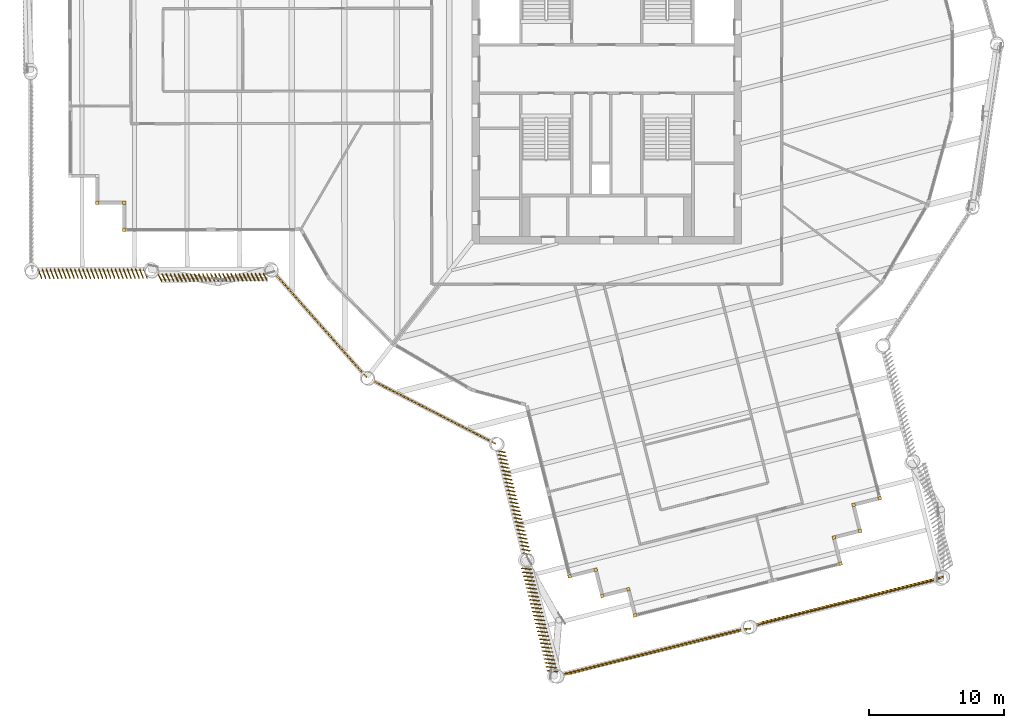
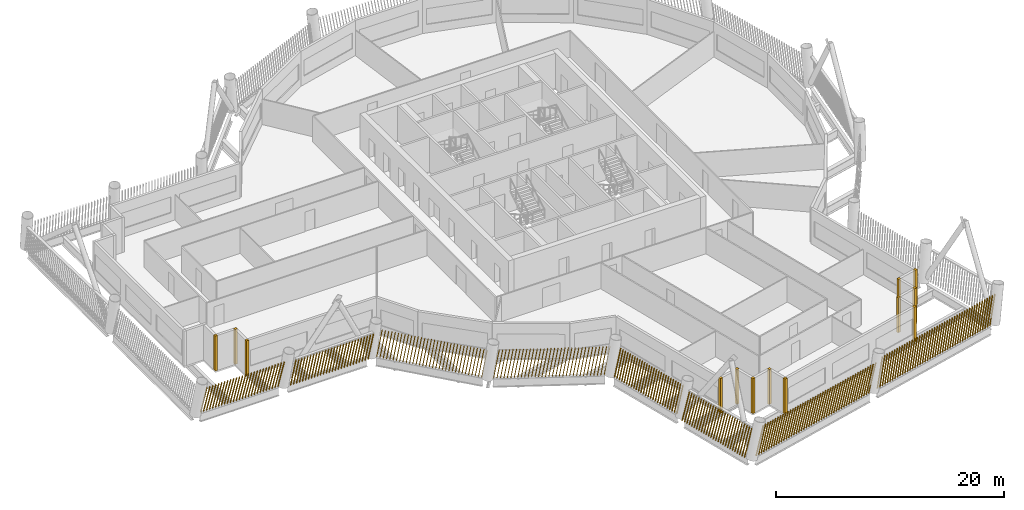
# One storey, part 18 of 22: 21 shading devices.
"""IFC4 building model written with IfcOpenShell, lengths in metres."""

import ifcopenshell
import ifcopenshell.guid

model = None  # the IFC model being written
_history = None  # IfcOwnerHistory: only IFC2X3 demands one
_inside = {}  # id of a spatial element -> (the spatial element, [elements in it])
_under = {}  # id of a project, library or spatial element -> (it, [spatial elements below it])
_declared = {}  # id of a project -> (the project, [libraries it declares])
_typed = {}  # id of a type object -> (the type object, [elements of that type])
_made_of = {}  # id of a material, layer set ... -> (it, [elements and type objects made of it])


def new_model(schema):
    """Start an empty IFC model of exactly this schema.

    Asked for "IFC4X3", IfcOpenShell would pick the latest addendum, in which some entities
    have other attributes; the version numbers below select the first issue.
    IFC2X3 requires an IfcOwnerHistory on every rooted entity: one is made here for all.
    """
    global model, _history
    if schema == "IFC4X3":
        model = ifcopenshell.file(schema_version=(4, 3, 0, 0))
    else:
        model = ifcopenshell.file(schema=schema)
    _inside.clear()
    _under.clear()
    _declared.clear()
    _typed.clear()
    _made_of.clear()
    _history = None
    if model.schema == "IFC2X3":
        org = make("IfcOrganization", Name="unknown")
        user = make(
            "IfcPersonAndOrganization",
            ThePerson=make("IfcPerson", FamilyName="unknown"),
            TheOrganization=org,
        )
        app = make(
            "IfcApplication",
            ApplicationDeveloper=org,
            Version="unknown",
            ApplicationFullName="unknown",
            ApplicationIdentifier="unknown",
        )
        _history = make(
            "IfcOwnerHistory",
            OwningUser=user,
            OwningApplication=app,
            ChangeAction="ADDED",
            CreationDate=0,
        )
    return model


def make(cls, **values):
    """One entity of the class cls with the attributes given. An attribute that is None is left unset."""
    return model.create_entity(
        cls, **{name: value for name, value in values.items() if value is not None}
    )


def rooted(cls, **values):
    """An entity with a GlobalId (a new one), such as an element, a storey or a relation."""
    return make(cls, GlobalId=ifcopenshell.guid.new(), OwnerHistory=_history, **values)


def si_unit(unit_type, name, prefix=None):
    """IfcSIUnit, for example si_unit("LENGTHUNIT", "METRE", prefix="MILLI")."""
    return make("IfcSIUnit", UnitType=unit_type, Prefix=prefix, Name=name)


def assignment(units):
    """IfcUnitAssignment: the units of a project."""
    return None if units is None else make("IfcUnitAssignment", Units=units)


def point(xyz):
    """IfcCartesianPoint."""
    return None if xyz is None else make("IfcCartesianPoint", Coordinates=xyz)


def direction(xyz):
    """IfcDirection."""
    return None if xyz is None else make("IfcDirection", DirectionRatios=xyz)


def frame(location, z_axis=None, x_axis=None):
    """IfcAxis2Placement3D, a coordinate frame: its origin and axes. An axis left out is left unset."""
    return make(
        "IfcAxis2Placement3D",
        Location=point(location),
        Axis=direction(z_axis),
        RefDirection=direction(x_axis),
    )


def frame_2d(location, x_axis=None):
    """IfcAxis2Placement2D, a coordinate frame in the plane: its origin and x axis."""
    return make(
        "IfcAxis2Placement2D", Location=point(location), RefDirection=direction(x_axis)
    )


def origin():
    """The frame at (0, 0, 0) with its axes left unset."""
    return frame((0.0, 0.0, 0.0))


def origin_2d():
    """The frame at (0, 0) in the plane with its x axis left unset."""
    return frame_2d((0.0, 0.0))


def place(relative_to, where):
    """IfcLocalPlacement: puts the frame where relative to a parent placement (None: the world)."""
    return make(
        "IfcLocalPlacement", PlacementRelTo=relative_to, RelativePlacement=where
    )


def context(
    kind, dimensions, precision=None, world=None, true_north=None, identifier=None
):
    """IfcGeometricRepresentationContext, for example the 3D "Model" context."""
    return make(
        "IfcGeometricRepresentationContext",
        ContextIdentifier=identifier,
        ContextType=kind,
        CoordinateSpaceDimension=dimensions,
        Precision=precision,
        WorldCoordinateSystem=world,
        TrueNorth=true_north,
    )


def subcontext(parent, identifier, kind, view, scale=None):
    """IfcGeometricRepresentationSubContext, for example "Body" below "Model"."""
    return make(
        "IfcGeometricRepresentationSubContext",
        ContextIdentifier=identifier,
        ContextType=kind,
        ParentContext=parent,
        TargetScale=scale,
        TargetView=view,
    )


def project(units=None, contexts=None):
    """IfcProject with its units and contexts."""
    return rooted(
        "IfcProject",
        Name="project",
        RepresentationContexts=contexts,
        UnitsInContext=assignment(units),
    )


def spatial(cls, under=None, at=None, **own):
    """A site, building, storey or space (cls), placed at a placement, below another one or the project."""
    s = rooted(cls, ObjectPlacement=at, **own)
    if under is not None:
        _under.setdefault(under.id(), (under, []))[1].append(s)
    return s


def profile(cls, at=None, kind="AREA", **sizes):
    """A parametric profile (cls). Its sizes go by their IFC names, for example OverallWidth=200.0."""
    return make(cls, ProfileType=kind, Position=at, **sizes)


def rectangle(**sizes):
    """IfcRectangleProfileDef."""
    return profile("IfcRectangleProfileDef", **sizes)


def composite_profile(profiles, kind="AREA"):
    """IfcCompositeProfileDef: several profiles as one."""
    return make("IfcCompositeProfileDef", ProfileType=kind, Profiles=profiles)


def extrude(swept, where, along, depth):
    """IfcExtrudedAreaSolid: the profile swept, set in the frame where, extruded along a direction by depth."""
    return make(
        "IfcExtrudedAreaSolid",
        SweptArea=swept,
        Position=where,
        ExtrudedDirection=direction(along),
        Depth=depth,
    )


def shape(context_of_items, identifier, shape_type, items):
    """IfcShapeRepresentation: the items that make up one representation, for example the "Body"."""
    return make(
        "IfcShapeRepresentation",
        ContextOfItems=context_of_items,
        RepresentationIdentifier=identifier,
        RepresentationType=shape_type,
        Items=items,
    )


def material(Name=None, Category=None):
    """IfcMaterial."""
    return make("IfcMaterial", Name=Name, Category=Category)


def made_of(thing, what):
    """Note that an element or type object is made of a material, layer set ...; save() writes the relation."""
    if what is not None:
        _made_of.setdefault(what.id(), (what, []))[1].append(thing)
    return thing


def type_object(cls, material=None, **own):
    """A type object (cls), such as IfcWallType, which elements share."""
    return made_of(rooted(cls, **own), material)


def element(
    cls,
    number,
    at=None,
    inside=None,
    cuts=None,
    type_object=None,
    material=None,
    context=None,
    identifier="Body",
    shape_type=None,
    held_by="IfcProductDefinitionShape",
    body=None,
    shapes=None,
    **own,
):
    """One element of the class cls, such as IfcWall. Its Tag is "e" and its number.

    at: its placement. inside: the storey or other place that contains it. cuts: it is an
    opening in that element (IfcRelVoidsElement). A single representation is given by context,
    identifier, shape_type and body (its items); several are given by shapes. held_by: the class
    of the entity that holds the representations. save() writes the other relations.
    """
    e = rooted(cls, Tag="e%d" % number, ObjectPlacement=at, **own)
    if body is not None:
        shapes = [shape(context, identifier, shape_type, body)]
    if shapes is not None:
        e.Representation = make(held_by, Representations=shapes)
    if inside is not None:
        _inside.setdefault(inside.id(), (inside, []))[1].append(e)
    if cuts is not None:
        rooted(
            "IfcRelVoidsElement", RelatingBuildingElement=cuts, RelatedOpeningElement=e
        )
    if type_object is not None:
        _typed.setdefault(type_object.id(), (type_object, []))[1].append(e)
    return made_of(e, material)


def aggregate(whole, parts):
    """IfcRelAggregates: a whole, such as a stair, and the parts it consists of."""
    return rooted("IfcRelAggregates", RelatingObject=whole, RelatedObjects=parts)


def save(model, path):
    """Write the relations noted so far, then the file.

    IfcRelAggregates (storeys below a building ...), IfcRelContainedInSpatialStructure (elements
    in a storey), IfcRelDefinesByType, IfcRelAssociatesMaterial and IfcRelDeclares: one each for
    every whole, place, type object, material and project.
    """
    for whole, parts in _under.values():
        aggregate(whole, parts)
    for where, things in _inside.values():
        rooted(
            "IfcRelContainedInSpatialStructure",
            RelatedElements=things,
            RelatingStructure=where,
        )
    for kind, things in _typed.values():
        rooted("IfcRelDefinesByType", RelatedObjects=things, RelatingType=kind)
    for what, things in _made_of.values():
        rooted("IfcRelAssociatesMaterial", RelatedObjects=things, RelatingMaterial=what)
    for by, libraries in _declared.values():
        rooted("IfcRelDeclares", RelatingContext=by, RelatedDefinitions=libraries)
    model.write(path)


model = new_model("IFC4")

# Units and contexts
model_context = context("Model", 3, precision=1e-05, world=origin(), true_north=direction((0.0, 1.0)))
body_context = subcontext(model_context, "Body", "Model", "MODEL_VIEW")
ifc_project = project(units=[si_unit("LENGTHUNIT", "METRE"), si_unit("AREAUNIT", "SQUARE_METRE"), si_unit("VOLUMEUNIT", "CUBIC_METRE"), si_unit("PLANEANGLEUNIT", "RADIAN"), si_unit("MASSUNIT", "GRAM", prefix="KILO")], contexts=[model_context])

# Site, building, storey
site_placement = place(None, origin())
site = spatial("IfcSite", under=ifc_project, at=site_placement, CompositionType="ELEMENT")
building_placement = place(site_placement, origin())
building = spatial("IfcBuilding", under=site, at=building_placement, Name="Tarsis Ring Headquarters", CompositionType="ELEMENT")
storey_placement = place(building_placement, frame((0.0, 0.0, 286.39990234375)))
storey = spatial("IfcBuildingStorey", under=building, at=storey_placement, Name="L67", CompositionType="ELEMENT", Elevation=286.39990234375)

# Shading devices
ifc_material = material(Name="Terracotta baguette", Category="masonry")
shading_device_type_1 = type_object("IfcShadingDeviceType", Name="Terracotta baguette screen", PredefinedType="USERDEFINED", material=ifc_material)
shading_device_1_placement = place(storey_placement, frame((-17.391357421875, -23.156494140625, 0.0), z_axis=(0.0, 0.0, 1.0), x_axis=(0.889469081824, -0.457014366021, 0.0)))
element("IfcShadingDevice", 1, at=shading_device_1_placement, inside=storey, type_object=shading_device_type_1, Name="Baguette screen L67-00", ObjectType="Terracotta baguette screen", PredefinedType="USERDEFINED", context=body_context, shape_type="SweptSolid", body=[
    extrude(composite_profile([rectangle(XDim=0.06005859375, YDim=0.1201171875, at=frame_2d((0.030029296875, 0.0))), rectangle(XDim=0.06005859375, YDim=0.1201171875, at=frame_2d((0.33349609375, 0.0))), rectangle(XDim=0.06005859375, YDim=0.1201171875, at=frame_2d((0.636962890625, 0.0))), rectangle(XDim=0.06005859375, YDim=0.1201171875, at=frame_2d((0.9404296875, 0.0))), rectangle(XDim=0.06005859375, YDim=0.1201171875, at=frame_2d((1.243896484375, 0.0))), rectangle(XDim=0.06005859375, YDim=0.1201171875, at=frame_2d((1.54736328125, 0.0))), rectangle(XDim=0.06005859375, YDim=0.1201171875, at=frame_2d((1.85107421875, 0.0))), rectangle(XDim=0.06005859375, YDim=0.1201171875, at=frame_2d((2.154541015625, 0.0))), rectangle(XDim=0.06005859375, YDim=0.1201171875, at=frame_2d((2.4580078125, 0.0))), rectangle(XDim=0.06005859375, YDim=0.1201171875, at=frame_2d((2.761474609375, 0.0))), rectangle(XDim=0.06005859375, YDim=0.1201171875, at=frame_2d((3.06494140625, 0.0))), rectangle(XDim=0.06005859375, YDim=0.1201171875, at=frame_2d((3.368408203125, 0.0))), rectangle(XDim=0.06005859375, YDim=0.1201171875, at=frame_2d((3.671875, 0.0))), rectangle(XDim=0.06005859375, YDim=0.1201171875, at=frame_2d((3.975341796875, 0.0))), rectangle(XDim=0.06005859375, YDim=0.1201171875, at=frame_2d((4.27880859375, 0.0))), rectangle(XDim=0.06005859375, YDim=0.1201171875, at=frame_2d((4.582275390625, 0.0))), rectangle(XDim=0.06005859375, YDim=0.1201171875, at=frame_2d((4.8857421875, 0.0))), rectangle(XDim=0.06005859375, YDim=0.1201171875, at=frame_2d((5.189453125, 0.0))), rectangle(XDim=0.06005859375, YDim=0.1201171875, at=frame_2d((5.492919921875, 0.0))), rectangle(XDim=0.06005859375, YDim=0.1201171875, at=frame_2d((5.79638671875, 0.0))), rectangle(XDim=0.06005859375, YDim=0.1201171875, at=frame_2d((6.099853515625, 0.0))), rectangle(XDim=0.06005859375, YDim=0.1201171875, at=frame_2d((6.4033203125, 0.0))), rectangle(XDim=0.06005859375, YDim=0.1201171875, at=frame_2d((6.706787109375, 0.0))), rectangle(XDim=0.06005859375, YDim=0.1201171875, at=frame_2d((7.01025390625, 0.0))), rectangle(XDim=0.06005859375, YDim=0.1201171875, at=frame_2d((7.313720703125, 0.0))), rectangle(XDim=0.06005859375, YDim=0.1201171875, at=frame_2d((7.6171875, 0.0))), rectangle(XDim=0.06005859375, YDim=0.1201171875, at=frame_2d((7.920654296875, 0.0))), rectangle(XDim=0.06005859375, YDim=0.1201171875, at=frame_2d((8.224365234375, 0.0))), rectangle(XDim=0.06005859375, YDim=0.1201171875, at=frame_2d((8.52783203125, 0.0))), rectangle(XDim=0.06005859375, YDim=0.1201171875, at=frame_2d((8.831298828125, 0.0))), rectangle(XDim=0.06005859375, YDim=0.1201171875, at=frame_2d((9.134765625, 0.0))), rectangle(XDim=0.06005859375, YDim=0.1201171875, at=frame_2d((9.438232421875, 0.0))), rectangle(XDim=0.06005859375, YDim=0.1201171875, at=frame_2d((9.74169921875, 0.0)))]), origin(), (0.165533881567, 0.00144268557, 0.986203048419), 3.009521484375),
])
shading_device_2_placement = place(storey_placement, frame((-8.133056640625, -28.335693359375, 0.0), z_axis=(0.0, 0.0, 1.0), x_axis=(0.243944636678, -0.969784972813, 0.0)))
element("IfcShadingDevice", 2, at=shading_device_2_placement, inside=storey, type_object=shading_device_type_1, Name="Baguette screen L67-01", ObjectType="Terracotta baguette screen", PredefinedType="USERDEFINED", context=body_context, shape_type="SweptSolid", body=[
    extrude(composite_profile([rectangle(XDim=0.06005859375, YDim=0.1201171875, at=frame_2d((0.030029296875, 0.0))), rectangle(XDim=0.06005859375, YDim=0.1201171875, at=frame_2d((0.33154296875, 0.0))), rectangle(XDim=0.06005859375, YDim=0.1201171875, at=frame_2d((0.63330078125, 0.0))), rectangle(XDim=0.06005859375, YDim=0.1201171875, at=frame_2d((0.934814453125, 0.0))), rectangle(XDim=0.06005859375, YDim=0.1201171875, at=frame_2d((1.236572265625, 0.0))), rectangle(XDim=0.06005859375, YDim=0.1201171875, at=frame_2d((1.5380859375, 0.0))), rectangle(XDim=0.06005859375, YDim=0.1201171875, at=frame_2d((1.83984375, 0.0))), rectangle(XDim=0.06005859375, YDim=0.1201171875, at=frame_2d((2.141357421875, 0.0))), rectangle(XDim=0.06005859375, YDim=0.1201171875, at=frame_2d((2.443115234375, 0.0))), rectangle(XDim=0.06005859375, YDim=0.1201171875, at=frame_2d((2.74462890625, 0.0))), rectangle(XDim=0.06005859375, YDim=0.1201171875, at=frame_2d((3.04638671875, 0.0))), rectangle(XDim=0.06005859375, YDim=0.1201171875, at=frame_2d((3.347900390625, 0.0))), rectangle(XDim=0.06005859375, YDim=0.1201171875, at=frame_2d((3.649658203125, 0.0))), rectangle(XDim=0.06005859375, YDim=0.1201171875, at=frame_2d((3.951171875, 0.0))), rectangle(XDim=0.06005859375, YDim=0.1201171875, at=frame_2d((4.252685546875, 0.0))), rectangle(XDim=0.06005859375, YDim=0.1201171875, at=frame_2d((4.554443359375, 0.0))), rectangle(XDim=0.06005859375, YDim=0.1201171875, at=frame_2d((4.85595703125, 0.0))), rectangle(XDim=0.06005859375, YDim=0.1201171875, at=frame_2d((5.15771484375, 0.0))), rectangle(XDim=0.06005859375, YDim=0.1201171875, at=frame_2d((5.459228515625, 0.0))), rectangle(XDim=0.06005859375, YDim=0.1201171875, at=frame_2d((5.760986328125, 0.0))), rectangle(XDim=0.06005859375, YDim=0.1201171875, at=frame_2d((6.0625, 0.0))), rectangle(XDim=0.06005859375, YDim=0.1201171875, at=frame_2d((6.3642578125, 0.0))), rectangle(XDim=0.06005859375, YDim=0.1201171875, at=frame_2d((6.665771484375, 0.0))), rectangle(XDim=0.06005859375, YDim=0.1201171875, at=frame_2d((6.967529296875, 0.0))), rectangle(XDim=0.06005859375, YDim=0.1201171875, at=frame_2d((7.26904296875, 0.0))), rectangle(XDim=0.06005859375, YDim=0.1201171875, at=frame_2d((7.57080078125, 0.0))), rectangle(XDim=0.06005859375, YDim=0.1201171875, at=frame_2d((7.872314453125, 0.0)))]), origin(), (0.08395148342, 0.17073376132, 0.981734246717), 3.023193359375),
])
shading_device_3_placement = place(storey_placement, frame((-6.324951171875, -37.060546875, 0.0), z_axis=(0.0, 0.0, 1.0), x_axis=(0.24395217351, -0.969784039299, 0.0)))
element("IfcShadingDevice", 3, at=shading_device_3_placement, inside=storey, type_object=shading_device_type_1, Name="Baguette screen L67-02", ObjectType="Terracotta baguette screen", PredefinedType="USERDEFINED", context=body_context, shape_type="SweptSolid", body=[
    extrude(composite_profile([rectangle(XDim=0.06005859375, YDim=0.1201171875, at=frame_2d((0.030029296875, 0.0))), rectangle(XDim=0.06005859375, YDim=0.1201171875, at=frame_2d((0.33154296875, 0.0))), rectangle(XDim=0.06005859375, YDim=0.1201171875, at=frame_2d((0.63330078125, 0.0))), rectangle(XDim=0.06005859375, YDim=0.1201171875, at=frame_2d((0.934814453125, 0.0))), rectangle(XDim=0.06005859375, YDim=0.1201171875, at=frame_2d((1.236572265625, 0.0))), rectangle(XDim=0.06005859375, YDim=0.1201171875, at=frame_2d((1.5380859375, 0.0))), rectangle(XDim=0.06005859375, YDim=0.1201171875, at=frame_2d((1.83984375, 0.0))), rectangle(XDim=0.06005859375, YDim=0.1201171875, at=frame_2d((2.141357421875, 0.0))), rectangle(XDim=0.06005859375, YDim=0.1201171875, at=frame_2d((2.443115234375, 0.0))), rectangle(XDim=0.06005859375, YDim=0.1201171875, at=frame_2d((2.74462890625, 0.0))), rectangle(XDim=0.06005859375, YDim=0.1201171875, at=frame_2d((3.04638671875, 0.0))), rectangle(XDim=0.06005859375, YDim=0.1201171875, at=frame_2d((3.347900390625, 0.0))), rectangle(XDim=0.06005859375, YDim=0.1201171875, at=frame_2d((3.649658203125, 0.0))), rectangle(XDim=0.06005859375, YDim=0.1201171875, at=frame_2d((3.951171875, 0.0))), rectangle(XDim=0.06005859375, YDim=0.1201171875, at=frame_2d((4.252685546875, 0.0))), rectangle(XDim=0.06005859375, YDim=0.1201171875, at=frame_2d((4.554443359375, 0.0))), rectangle(XDim=0.06005859375, YDim=0.1201171875, at=frame_2d((4.85595703125, 0.0))), rectangle(XDim=0.06005859375, YDim=0.1201171875, at=frame_2d((5.15771484375, 0.0))), rectangle(XDim=0.06005859375, YDim=0.1201171875, at=frame_2d((5.459228515625, 0.0))), rectangle(XDim=0.06005859375, YDim=0.1201171875, at=frame_2d((5.760986328125, 0.0))), rectangle(XDim=0.06005859375, YDim=0.1201171875, at=frame_2d((6.0625, 0.0))), rectangle(XDim=0.06005859375, YDim=0.1201171875, at=frame_2d((6.3642578125, 0.0))), rectangle(XDim=0.06005859375, YDim=0.1201171875, at=frame_2d((6.665771484375, 0.0))), rectangle(XDim=0.06005859375, YDim=0.1201171875, at=frame_2d((6.967529296875, 0.0))), rectangle(XDim=0.06005859375, YDim=0.1201171875, at=frame_2d((7.26904296875, 0.0))), rectangle(XDim=0.06005859375, YDim=0.1201171875, at=frame_2d((7.57080078125, 0.0))), rectangle(XDim=0.06005859375, YDim=0.1201171875, at=frame_2d((7.872314453125, 0.0)))]), origin(), (0.084804983277, 0.219900852993, 0.971829064015), 3.053955078125),
])
shading_device_4_placement = place(storey_placement, frame((-3.4267578125, -44.995361328125, 0.0), z_axis=(0.0, 0.0, 1.0), x_axis=(0.969783281734, 0.24394515701, 0.0)))
element("IfcShadingDevice", 4, at=shading_device_4_placement, inside=storey, type_object=shading_device_type_1, Name="Baguette screen L67-03", ObjectType="Terracotta baguette screen", PredefinedType="USERDEFINED", context=body_context, shape_type="SweptSolid", body=[
    extrude(composite_profile([rectangle(XDim=0.06005859375, YDim=0.1201171875, at=frame_2d((0.030029296875, 0.0))), rectangle(XDim=0.06005859375, YDim=0.1201171875, at=frame_2d((0.33544921875, 0.0))), rectangle(XDim=0.06005859375, YDim=0.1201171875, at=frame_2d((0.640625, 0.0))), rectangle(XDim=0.06005859375, YDim=0.1201171875, at=frame_2d((0.946044921875, 0.0))), rectangle(XDim=0.06005859375, YDim=0.1201171875, at=frame_2d((1.25146484375, 0.0))), rectangle(XDim=0.06005859375, YDim=0.1201171875, at=frame_2d((1.556640625, 0.0))), rectangle(XDim=0.06005859375, YDim=0.1201171875, at=frame_2d((1.862060546875, 0.0))), rectangle(XDim=0.06005859375, YDim=0.1201171875, at=frame_2d((2.16748046875, 0.0))), rectangle(XDim=0.06005859375, YDim=0.1201171875, at=frame_2d((2.47265625, 0.0))), rectangle(XDim=0.06005859375, YDim=0.1201171875, at=frame_2d((2.778076171875, 0.0))), rectangle(XDim=0.06005859375, YDim=0.1201171875, at=frame_2d((3.08349609375, 0.0))), rectangle(XDim=0.06005859375, YDim=0.1201171875, at=frame_2d((3.388671875, 0.0))), rectangle(XDim=0.06005859375, YDim=0.1201171875, at=frame_2d((3.694091796875, 0.0))), rectangle(XDim=0.06005859375, YDim=0.1201171875, at=frame_2d((3.99951171875, 0.0))), rectangle(XDim=0.06005859375, YDim=0.1201171875, at=frame_2d((4.3046875, 0.0))), rectangle(XDim=0.06005859375, YDim=0.1201171875, at=frame_2d((4.610107421875, 0.0))), rectangle(XDim=0.06005859375, YDim=0.1201171875, at=frame_2d((4.91552734375, 0.0))), rectangle(XDim=0.06005859375, YDim=0.1201171875, at=frame_2d((5.220703125, 0.0))), rectangle(XDim=0.06005859375, YDim=0.1201171875, at=frame_2d((5.526123046875, 0.0))), rectangle(XDim=0.06005859375, YDim=0.1201171875, at=frame_2d((5.83154296875, 0.0))), rectangle(XDim=0.06005859375, YDim=0.1201171875, at=frame_2d((6.13671875, 0.0))), rectangle(XDim=0.06005859375, YDim=0.1201171875, at=frame_2d((6.442138671875, 0.0))), rectangle(XDim=0.06005859375, YDim=0.1201171875, at=frame_2d((6.74755859375, 0.0))), rectangle(XDim=0.06005859375, YDim=0.1201171875, at=frame_2d((7.052734375, 0.0))), rectangle(XDim=0.06005859375, YDim=0.1201171875, at=frame_2d((7.358154296875, 0.0))), rectangle(XDim=0.06005859375, YDim=0.1201171875, at=frame_2d((7.66357421875, 0.0))), rectangle(XDim=0.06005859375, YDim=0.1201171875, at=frame_2d((7.96875, 0.0))), rectangle(XDim=0.06005859375, YDim=0.1201171875, at=frame_2d((8.274169921875, 0.0))), rectangle(XDim=0.06005859375, YDim=0.1201171875, at=frame_2d((8.57958984375, 0.0))), rectangle(XDim=0.06005859375, YDim=0.1201171875, at=frame_2d((8.884765625, 0.0))), rectangle(XDim=0.06005859375, YDim=0.1201171875, at=frame_2d((9.190185546875, 0.0))), rectangle(XDim=0.06005859375, YDim=0.1201171875, at=frame_2d((9.49560546875, 0.0))), rectangle(XDim=0.06005859375, YDim=0.1201171875, at=frame_2d((9.80078125, 0.0))), rectangle(XDim=0.06005859375, YDim=0.1201171875, at=frame_2d((10.106201171875, 0.0))), rectangle(XDim=0.06005859375, YDim=0.1201171875, at=frame_2d((10.41162109375, 0.0))), rectangle(XDim=0.06005859375, YDim=0.1201171875, at=frame_2d((10.716796875, 0.0))), rectangle(XDim=0.06005859375, YDim=0.1201171875, at=frame_2d((11.022216796875, 0.0))), rectangle(XDim=0.06005859375, YDim=0.1201171875, at=frame_2d((11.32763671875, 0.0))), rectangle(XDim=0.06005859375, YDim=0.1201171875, at=frame_2d((11.6328125, 0.0))), rectangle(XDim=0.06005859375, YDim=0.1201171875, at=frame_2d((11.938232421875, 0.0))), rectangle(XDim=0.06005859375, YDim=0.1201171875, at=frame_2d((12.24365234375, 0.0))), rectangle(XDim=0.06005859375, YDim=0.1201171875, at=frame_2d((12.548828125, 0.0))), rectangle(XDim=0.06005859375, YDim=0.1201171875, at=frame_2d((12.854248046875, 0.0))), rectangle(XDim=0.06005859375, YDim=0.1201171875, at=frame_2d((13.15966796875, 0.0))), rectangle(XDim=0.06005859375, YDim=0.1201171875, at=frame_2d((13.46484375, 0.0))), rectangle(XDim=0.06005859375, YDim=0.1201171875, at=frame_2d((13.770263671875, 0.0)))]), origin(), (0.244209313993, -0.040029704318, 0.968895987055), 3.063232421875),
])
shading_device_5_placement = place(storey_placement, frame((10.926025390625, -41.385009765625, 0.0), z_axis=(0.0, 0.0, 1.0), x_axis=(0.969783281734, 0.243962848297, 0.0)))
element("IfcShadingDevice", 5, at=shading_device_5_placement, inside=storey, type_object=shading_device_type_1, Name="Baguette screen L67-04", ObjectType="Terracotta baguette screen", PredefinedType="USERDEFINED", context=body_context, shape_type="SweptSolid", body=[
    extrude(composite_profile([rectangle(XDim=0.06005859375, YDim=0.1201171875, at=frame_2d((0.030029296875, 0.0))), rectangle(XDim=0.06005859375, YDim=0.1201171875, at=frame_2d((0.33544921875, 0.0))), rectangle(XDim=0.06005859375, YDim=0.1201171875, at=frame_2d((0.640625, 0.0))), rectangle(XDim=0.06005859375, YDim=0.1201171875, at=frame_2d((0.946044921875, 0.0))), rectangle(XDim=0.06005859375, YDim=0.1201171875, at=frame_2d((1.25146484375, 0.0))), rectangle(XDim=0.06005859375, YDim=0.1201171875, at=frame_2d((1.556640625, 0.0))), rectangle(XDim=0.06005859375, YDim=0.1201171875, at=frame_2d((1.862060546875, 0.0))), rectangle(XDim=0.06005859375, YDim=0.1201171875, at=frame_2d((2.16748046875, 0.0))), rectangle(XDim=0.06005859375, YDim=0.1201171875, at=frame_2d((2.47265625, 0.0))), rectangle(XDim=0.06005859375, YDim=0.1201171875, at=frame_2d((2.778076171875, 0.0))), rectangle(XDim=0.06005859375, YDim=0.1201171875, at=frame_2d((3.08349609375, 0.0))), rectangle(XDim=0.06005859375, YDim=0.1201171875, at=frame_2d((3.388671875, 0.0))), rectangle(XDim=0.06005859375, YDim=0.1201171875, at=frame_2d((3.694091796875, 0.0))), rectangle(XDim=0.06005859375, YDim=0.1201171875, at=frame_2d((3.99951171875, 0.0))), rectangle(XDim=0.06005859375, YDim=0.1201171875, at=frame_2d((4.3046875, 0.0))), rectangle(XDim=0.06005859375, YDim=0.1201171875, at=frame_2d((4.610107421875, 0.0))), rectangle(XDim=0.06005859375, YDim=0.1201171875, at=frame_2d((4.91552734375, 0.0))), rectangle(XDim=0.06005859375, YDim=0.1201171875, at=frame_2d((5.220703125, 0.0))), rectangle(XDim=0.06005859375, YDim=0.1201171875, at=frame_2d((5.526123046875, 0.0))), rectangle(XDim=0.06005859375, YDim=0.1201171875, at=frame_2d((5.83154296875, 0.0))), rectangle(XDim=0.06005859375, YDim=0.1201171875, at=frame_2d((6.13671875, 0.0))), rectangle(XDim=0.06005859375, YDim=0.1201171875, at=frame_2d((6.442138671875, 0.0))), rectangle(XDim=0.06005859375, YDim=0.1201171875, at=frame_2d((6.74755859375, 0.0))), rectangle(XDim=0.06005859375, YDim=0.1201171875, at=frame_2d((7.052734375, 0.0))), rectangle(XDim=0.06005859375, YDim=0.1201171875, at=frame_2d((7.358154296875, 0.0))), rectangle(XDim=0.06005859375, YDim=0.1201171875, at=frame_2d((7.66357421875, 0.0))), rectangle(XDim=0.06005859375, YDim=0.1201171875, at=frame_2d((7.96875, 0.0))), rectangle(XDim=0.06005859375, YDim=0.1201171875, at=frame_2d((8.274169921875, 0.0))), rectangle(XDim=0.06005859375, YDim=0.1201171875, at=frame_2d((8.57958984375, 0.0))), rectangle(XDim=0.06005859375, YDim=0.1201171875, at=frame_2d((8.884765625, 0.0))), rectangle(XDim=0.06005859375, YDim=0.1201171875, at=frame_2d((9.190185546875, 0.0))), rectangle(XDim=0.06005859375, YDim=0.1201171875, at=frame_2d((9.49560546875, 0.0))), rectangle(XDim=0.06005859375, YDim=0.1201171875, at=frame_2d((9.80078125, 0.0))), rectangle(XDim=0.06005859375, YDim=0.1201171875, at=frame_2d((10.106201171875, 0.0))), rectangle(XDim=0.06005859375, YDim=0.1201171875, at=frame_2d((10.41162109375, 0.0))), rectangle(XDim=0.06005859375, YDim=0.1201171875, at=frame_2d((10.716796875, 0.0))), rectangle(XDim=0.06005859375, YDim=0.1201171875, at=frame_2d((11.022216796875, 0.0))), rectangle(XDim=0.06005859375, YDim=0.1201171875, at=frame_2d((11.32763671875, 0.0))), rectangle(XDim=0.06005859375, YDim=0.1201171875, at=frame_2d((11.6328125, 0.0))), rectangle(XDim=0.06005859375, YDim=0.1201171875, at=frame_2d((11.938232421875, 0.0))), rectangle(XDim=0.06005859375, YDim=0.1201171875, at=frame_2d((12.24365234375, 0.0))), rectangle(XDim=0.06005859375, YDim=0.1201171875, at=frame_2d((12.548828125, 0.0))), rectangle(XDim=0.06005859375, YDim=0.1201171875, at=frame_2d((12.854248046875, 0.0))), rectangle(XDim=0.06005859375, YDim=0.1201171875, at=frame_2d((13.15966796875, 0.0))), rectangle(XDim=0.06005859375, YDim=0.1201171875, at=frame_2d((13.46484375, 0.0))), rectangle(XDim=0.06005859375, YDim=0.1201171875, at=frame_2d((13.770263671875, 0.0)))]), origin(), (0.243474662882, 0.044285312361, 0.968895711438), 3.063232421875),
])
shading_device_6_placement = place(storey_placement, frame((-42.268798828125, -14.888671875, 0.0), z_axis=(0.0, 0.0, 1.0), x_axis=(1.0, 0.002100905243, 0.0)))
element("IfcShadingDevice", 6, at=shading_device_6_placement, inside=storey, type_object=shading_device_type_1, Name="Baguette screen L67-19", ObjectType="Terracotta baguette screen", PredefinedType="USERDEFINED", context=body_context, shape_type="SweptSolid", body=[
    extrude(composite_profile([rectangle(XDim=0.06005859375, YDim=0.1201171875, at=frame_2d((0.030029296875, 0.0))), rectangle(XDim=0.06005859375, YDim=0.1201171875, at=frame_2d((0.33154296875, 0.0))), rectangle(XDim=0.06005859375, YDim=0.1201171875, at=frame_2d((0.63330078125, 0.0))), rectangle(XDim=0.06005859375, YDim=0.1201171875, at=frame_2d((0.934814453125, 0.0))), rectangle(XDim=0.06005859375, YDim=0.1201171875, at=frame_2d((1.236572265625, 0.0))), rectangle(XDim=0.06005859375, YDim=0.1201171875, at=frame_2d((1.5380859375, 0.0))), rectangle(XDim=0.06005859375, YDim=0.1201171875, at=frame_2d((1.83984375, 0.0))), rectangle(XDim=0.06005859375, YDim=0.1201171875, at=frame_2d((2.141357421875, 0.0))), rectangle(XDim=0.06005859375, YDim=0.1201171875, at=frame_2d((2.443115234375, 0.0))), rectangle(XDim=0.06005859375, YDim=0.1201171875, at=frame_2d((2.74462890625, 0.0))), rectangle(XDim=0.06005859375, YDim=0.1201171875, at=frame_2d((3.04638671875, 0.0))), rectangle(XDim=0.06005859375, YDim=0.1201171875, at=frame_2d((3.347900390625, 0.0))), rectangle(XDim=0.06005859375, YDim=0.1201171875, at=frame_2d((3.649658203125, 0.0))), rectangle(XDim=0.06005859375, YDim=0.1201171875, at=frame_2d((3.951171875, 0.0))), rectangle(XDim=0.06005859375, YDim=0.1201171875, at=frame_2d((4.252685546875, 0.0))), rectangle(XDim=0.06005859375, YDim=0.1201171875, at=frame_2d((4.554443359375, 0.0))), rectangle(XDim=0.06005859375, YDim=0.1201171875, at=frame_2d((4.85595703125, 0.0))), rectangle(XDim=0.06005859375, YDim=0.1201171875, at=frame_2d((5.15771484375, 0.0))), rectangle(XDim=0.06005859375, YDim=0.1201171875, at=frame_2d((5.459228515625, 0.0))), rectangle(XDim=0.06005859375, YDim=0.1201171875, at=frame_2d((5.760986328125, 0.0))), rectangle(XDim=0.06005859375, YDim=0.1201171875, at=frame_2d((6.0625, 0.0))), rectangle(XDim=0.06005859375, YDim=0.1201171875, at=frame_2d((6.3642578125, 0.0))), rectangle(XDim=0.06005859375, YDim=0.1201171875, at=frame_2d((6.665771484375, 0.0))), rectangle(XDim=0.06005859375, YDim=0.1201171875, at=frame_2d((6.967529296875, 0.0))), rectangle(XDim=0.06005859375, YDim=0.1201171875, at=frame_2d((7.26904296875, 0.0))), rectangle(XDim=0.06005859375, YDim=0.1201171875, at=frame_2d((7.57080078125, 0.0))), rectangle(XDim=0.06005859375, YDim=0.1201171875, at=frame_2d((7.872314453125, 0.0)))]), origin(), (0.086501843108, -0.218447781235, 0.972007200597), 3.053466796875),
])
shading_device_7_placement = place(storey_placement, frame((-33.365966796875, -15.244873046875, 0.0), z_axis=(0.0, 0.0, 1.0), x_axis=(1.0, 0.002100840336, 0.0)))
element("IfcShadingDevice", 7, at=shading_device_7_placement, inside=storey, type_object=shading_device_type_1, Name="Baguette screen L67-20", ObjectType="Terracotta baguette screen", PredefinedType="USERDEFINED", context=body_context, shape_type="SweptSolid", body=[
    extrude(composite_profile([rectangle(XDim=0.06005859375, YDim=0.1201171875, at=frame_2d((0.030029296875, 0.0))), rectangle(XDim=0.06005859375, YDim=0.1201171875, at=frame_2d((0.33154296875, 0.0))), rectangle(XDim=0.06005859375, YDim=0.1201171875, at=frame_2d((0.63330078125, 0.0))), rectangle(XDim=0.06005859375, YDim=0.1201171875, at=frame_2d((0.934814453125, 0.0))), rectangle(XDim=0.06005859375, YDim=0.1201171875, at=frame_2d((1.236572265625, 0.0))), rectangle(XDim=0.06005859375, YDim=0.1201171875, at=frame_2d((1.5380859375, 0.0))), rectangle(XDim=0.06005859375, YDim=0.1201171875, at=frame_2d((1.83984375, 0.0))), rectangle(XDim=0.06005859375, YDim=0.1201171875, at=frame_2d((2.141357421875, 0.0))), rectangle(XDim=0.06005859375, YDim=0.1201171875, at=frame_2d((2.443115234375, 0.0))), rectangle(XDim=0.06005859375, YDim=0.1201171875, at=frame_2d((2.74462890625, 0.0))), rectangle(XDim=0.06005859375, YDim=0.1201171875, at=frame_2d((3.04638671875, 0.0))), rectangle(XDim=0.06005859375, YDim=0.1201171875, at=frame_2d((3.347900390625, 0.0))), rectangle(XDim=0.06005859375, YDim=0.1201171875, at=frame_2d((3.649658203125, 0.0))), rectangle(XDim=0.06005859375, YDim=0.1201171875, at=frame_2d((3.951171875, 0.0))), rectangle(XDim=0.06005859375, YDim=0.1201171875, at=frame_2d((4.252685546875, 0.0))), rectangle(XDim=0.06005859375, YDim=0.1201171875, at=frame_2d((4.554443359375, 0.0))), rectangle(XDim=0.06005859375, YDim=0.1201171875, at=frame_2d((4.85595703125, 0.0))), rectangle(XDim=0.06005859375, YDim=0.1201171875, at=frame_2d((5.15771484375, 0.0))), rectangle(XDim=0.06005859375, YDim=0.1201171875, at=frame_2d((5.459228515625, 0.0))), rectangle(XDim=0.06005859375, YDim=0.1201171875, at=frame_2d((5.760986328125, 0.0))), rectangle(XDim=0.06005859375, YDim=0.1201171875, at=frame_2d((6.0625, 0.0))), rectangle(XDim=0.06005859375, YDim=0.1201171875, at=frame_2d((6.3642578125, 0.0))), rectangle(XDim=0.06005859375, YDim=0.1201171875, at=frame_2d((6.665771484375, 0.0))), rectangle(XDim=0.06005859375, YDim=0.1201171875, at=frame_2d((6.967529296875, 0.0))), rectangle(XDim=0.06005859375, YDim=0.1201171875, at=frame_2d((7.26904296875, 0.0))), rectangle(XDim=0.06005859375, YDim=0.1201171875, at=frame_2d((7.57080078125, 0.0))), rectangle(XDim=0.06005859375, YDim=0.1201171875, at=frame_2d((7.872314453125, 0.0)))]), origin(), (0.089067346612, -0.16919274347, 0.981550214367), 3.02392578125),
])
shading_device_8_placement = place(storey_placement, frame((-24.633544921875, -15.22705078125, 0.0), z_axis=(0.0, 0.0, 1.0), x_axis=(0.661761399126, -0.749706433479, 0.0)))
element("IfcShadingDevice", 8, at=shading_device_8_placement, inside=storey, type_object=shading_device_type_1, Name="Baguette screen L67-21", ObjectType="Terracotta baguette screen", PredefinedType="USERDEFINED", context=body_context, shape_type="SweptSolid", body=[
    extrude(composite_profile([rectangle(XDim=0.06005859375, YDim=0.1201171875, at=frame_2d((0.030029296875, 0.0))), rectangle(XDim=0.06005859375, YDim=0.1201171875, at=frame_2d((0.33349609375, 0.0))), rectangle(XDim=0.06005859375, YDim=0.1201171875, at=frame_2d((0.636962890625, 0.0))), rectangle(XDim=0.06005859375, YDim=0.1201171875, at=frame_2d((0.9404296875, 0.0))), rectangle(XDim=0.06005859375, YDim=0.1201171875, at=frame_2d((1.243896484375, 0.0))), rectangle(XDim=0.06005859375, YDim=0.1201171875, at=frame_2d((1.54736328125, 0.0))), rectangle(XDim=0.06005859375, YDim=0.1201171875, at=frame_2d((1.85107421875, 0.0))), rectangle(XDim=0.06005859375, YDim=0.1201171875, at=frame_2d((2.154541015625, 0.0))), rectangle(XDim=0.06005859375, YDim=0.1201171875, at=frame_2d((2.4580078125, 0.0))), rectangle(XDim=0.06005859375, YDim=0.1201171875, at=frame_2d((2.761474609375, 0.0))), rectangle(XDim=0.06005859375, YDim=0.1201171875, at=frame_2d((3.06494140625, 0.0))), rectangle(XDim=0.06005859375, YDim=0.1201171875, at=frame_2d((3.368408203125, 0.0))), rectangle(XDim=0.06005859375, YDim=0.1201171875, at=frame_2d((3.671875, 0.0))), rectangle(XDim=0.06005859375, YDim=0.1201171875, at=frame_2d((3.975341796875, 0.0))), rectangle(XDim=0.06005859375, YDim=0.1201171875, at=frame_2d((4.27880859375, 0.0))), rectangle(XDim=0.06005859375, YDim=0.1201171875, at=frame_2d((4.582275390625, 0.0))), rectangle(XDim=0.06005859375, YDim=0.1201171875, at=frame_2d((4.8857421875, 0.0))), rectangle(XDim=0.06005859375, YDim=0.1201171875, at=frame_2d((5.189453125, 0.0))), rectangle(XDim=0.06005859375, YDim=0.1201171875, at=frame_2d((5.492919921875, 0.0))), rectangle(XDim=0.06005859375, YDim=0.1201171875, at=frame_2d((5.79638671875, 0.0))), rectangle(XDim=0.06005859375, YDim=0.1201171875, at=frame_2d((6.099853515625, 0.0))), rectangle(XDim=0.06005859375, YDim=0.1201171875, at=frame_2d((6.4033203125, 0.0))), rectangle(XDim=0.06005859375, YDim=0.1201171875, at=frame_2d((6.706787109375, 0.0))), rectangle(XDim=0.06005859375, YDim=0.1201171875, at=frame_2d((7.01025390625, 0.0))), rectangle(XDim=0.06005859375, YDim=0.1201171875, at=frame_2d((7.313720703125, 0.0))), rectangle(XDim=0.06005859375, YDim=0.1201171875, at=frame_2d((7.6171875, 0.0))), rectangle(XDim=0.06005859375, YDim=0.1201171875, at=frame_2d((7.920654296875, 0.0))), rectangle(XDim=0.06005859375, YDim=0.1201171875, at=frame_2d((8.224365234375, 0.0))), rectangle(XDim=0.06005859375, YDim=0.1201171875, at=frame_2d((8.52783203125, 0.0))), rectangle(XDim=0.06005859375, YDim=0.1201171875, at=frame_2d((8.831298828125, 0.0))), rectangle(XDim=0.06005859375, YDim=0.1201171875, at=frame_2d((9.134765625, 0.0))), rectangle(XDim=0.06005859375, YDim=0.1201171875, at=frame_2d((9.438232421875, 0.0))), rectangle(XDim=0.06005859375, YDim=0.1201171875, at=frame_2d((9.74169921875, 0.0)))]), origin(), (0.165531524687, 0.001445277471, 0.986203440223), 3.009521484375),
])
shading_device_type_2 = type_object("IfcShadingDeviceType", Name="Terracotta corner baguette 250x250", PredefinedType="USERDEFINED", material=ifc_material)
for number, where, z_axis, x_axis, name in (
    (9, (-35.85009765625, -11.9501953125, 0.0), (0.0, 0.0, 1.0), (0.002094498291, -0.999997806536, 0.0), "Corner baguette L67-01"),
    (10, (-2.764404296875, -37.68798828125, 0.0), (0.0, 0.0, 1.0), (0.243953563063, -0.969786914259, 0.0), "Corner baguette L67-07"),
    (11, (-0.82470703125, -37.2001953125, 0.0), (0.0, 0.0, 1.0), (0.969787050509, 0.243953021432, 0.0), "Corner baguette L67-08"),
    (12, (-0.3369140625, -39.1396484375, 0.0), (0.0, 0.0, 1.0), (0.243953478433, -0.969786935548, 0.0), "Corner baguette L67-09"),
    (13, (1.602783203125, -38.65185546875, 0.0), (0.0, 0.0, 1.0), (0.969786846135, 0.243953833879, 0.0), "Corner baguette L67-10"),
    (14, (2.090576171875, -40.59130859375, 0.0), (0.0, 0.0, 1.0), (0.243953021432, -0.969787050509, 0.0), "Corner baguette L67-11"),
    (15, (17.36474609375, -36.7490234375, 0.0), (0.0, 0.0, 1.0), (0.969786914259, 0.243953563063, 0.0), "Corner baguette L67-12"),
    (16, (16.876708984375, -34.8095703125, 0.0), (0.0, 0.0, 1.0), (-0.243953478433, 0.969786935548, 0.0), "Corner baguette L67-13"),
    (17, (18.81640625, -34.321533203125, 0.0), (0.0, 0.0, 1.0), (0.969787020704, 0.243953139914, 0.0), "Corner baguette L67-14"),
    (18, (18.328369140625, -32.382080078125, 0.0), (0.0, 0.0, 1.0), (-0.243953021432, 0.969787050509, 0.0), "Corner baguette L67-15"),
    (19, (20.26806640625, -31.89404296875, 0.0), (0.0, 0.0, 1.0), (0.969786935548, 0.243953478433, 0.0), "Corner baguette L67-16"),
    (20, (-37.854248046875, -9.954345703125, 0.0), (0.0, 0.0, 1.0), (0.002094498291, -0.999997806536, 0.0), "Corner baguette L67-39"),
    (21, (-35.854248046875, -9.9501953125, 0.0), (0.0, 0.0, 1.0), (0.999997807596, 0.002093992146, 0.0), "Corner baguette L67-40"),
):
    element("IfcShadingDevice", number, at=place(storey_placement, frame(where, z_axis=z_axis, x_axis=x_axis)), inside=storey, type_object=shading_device_type_2, Name=name, ObjectType="Terracotta corner baguette", PredefinedType="USERDEFINED", context=body_context, shape_type="SweptSolid", body=[
        extrude(rectangle(XDim=0.25, YDim=0.25, at=origin_2d()), origin(), (0.0, 0.0, 1.0), 3.739990234375),
    ])

save(model, "model.ifc")
